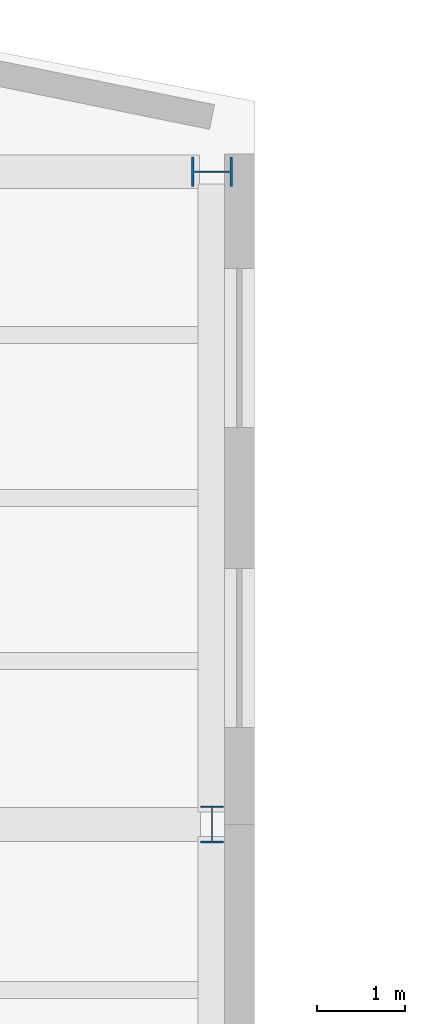
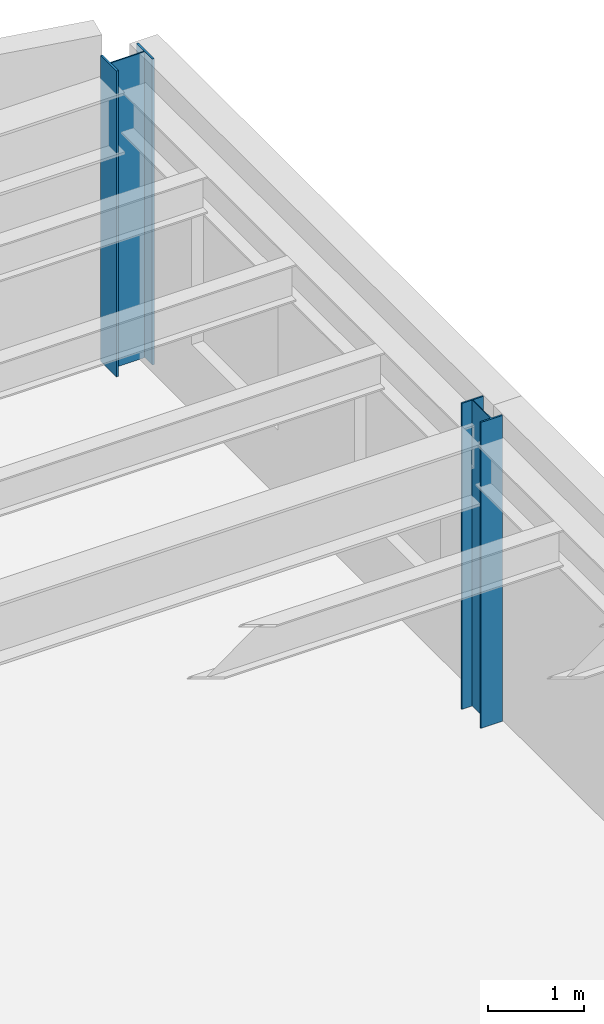
# One storey, part 7 of 46: 2 columns.
"""IFC4 building model written with IfcOpenShell, lengths in metres."""

from ifc_helpers import new_model, si_unit, direction, frame, origin, origin_2d, place, context, subcontext, project, spatial, i_section, extrude, material, material_profile, profile_set, type_object, element, save


model = new_model("IFC4")

# Units and contexts
model_context = context("Model", 3, precision=1e-05, world=origin(), true_north=direction((0.0, 1.0)))
body_context = subcontext(model_context, "Body", "Model", "MODEL_VIEW")
ifc_project = project(units=[si_unit("LENGTHUNIT", "METRE"), si_unit("AREAUNIT", "SQUARE_METRE"), si_unit("VOLUMEUNIT", "CUBIC_METRE"), si_unit("PLANEANGLEUNIT", "RADIAN"), si_unit("MASSUNIT", "GRAM", prefix="KILO")], contexts=[model_context])

# Site, building, storey
site_placement = place(None, origin())
site = spatial("IfcSite", under=ifc_project, at=site_placement, CompositionType="ELEMENT")
building_placement = place(site_placement, origin())
building = spatial("IfcBuilding", under=site, at=building_placement, Name="Sollismere Congress Hotel", CompositionType="ELEMENT")
storey_placement = place(building_placement, frame((0.0, 0.0, 19.5)))
storey = spatial("IfcBuildingStorey", under=building, at=storey_placement, Name="L04", CompositionType="ELEMENT", Elevation=19.5)

# Columns
ifc_material = material(Name="Steel ASTM A992 Grade 50", Category="steel")
ifc_material_profile_1 = material_profile(ifc_material, i_section(OverallWidth=0.330078125, OverallDepth=0.4599609375, WebThickness=0.016357421875, FlangeThickness=0.026123046875, at=origin_2d()), Name="W14X132")
ifc_profile_set_1 = profile_set([ifc_material_profile_1], Name="Steel ASTM A992 Grade 50")
column_type_1 = type_object("IfcColumnType", Name="COL-W14H", PredefinedType="COLUMN", material=ifc_profile_set_1)
column_1_placement = place(storey_placement, frame((124.0, 102.39990234375, 0.0), z_axis=(0.0, 0.0, 1.0), x_axis=(0.0, 1.0, 0.0)))
element("IfcColumn", 1, at=column_1_placement, inside=storey, type_object=column_type_1, Name="Column CL-L04-1128", PredefinedType="COLUMN", context=body_context, shape_type="SweptSolid", body=[
    extrude(i_section(OverallWidth=0.330078125, OverallDepth=0.4599609375, WebThickness=0.016357421875, FlangeThickness=0.026123046875, at=origin_2d()), origin(), (0.0, 0.0, 1.0), 3.89990234375),
])
ifc_material_profile_2 = material_profile(ifc_material, i_section(OverallWidth=0.261962890625, OverallDepth=0.4189453125, WebThickness=0.01171875, FlangeThickness=0.019287109375, at=origin_2d()), Name="W16X77")
ifc_profile_set_2 = profile_set([ifc_material_profile_2], Name="Steel ASTM A992 Grade 50")
column_type_2 = type_object("IfcColumnType", Name="COL-W16", PredefinedType="COLUMN", material=ifc_profile_set_2)
column_2_placement = place(storey_placement, frame((124.0, 95.0, 0.0), z_axis=(0.0, 0.0, 1.0), x_axis=(1.0, 0.0, 0.0)))
element("IfcColumn", 2, at=column_2_placement, inside=storey, type_object=column_type_2, Name="Column CL-L04-724", PredefinedType="COLUMN", context=body_context, shape_type="SweptSolid", body=[
    extrude(i_section(OverallWidth=0.261962890625, OverallDepth=0.4189453125, WebThickness=0.01171875, FlangeThickness=0.019287109375, at=origin_2d()), origin(), (0.0, 0.0, 1.0), 3.89990234375),
])

save(model, "model.ifc")
